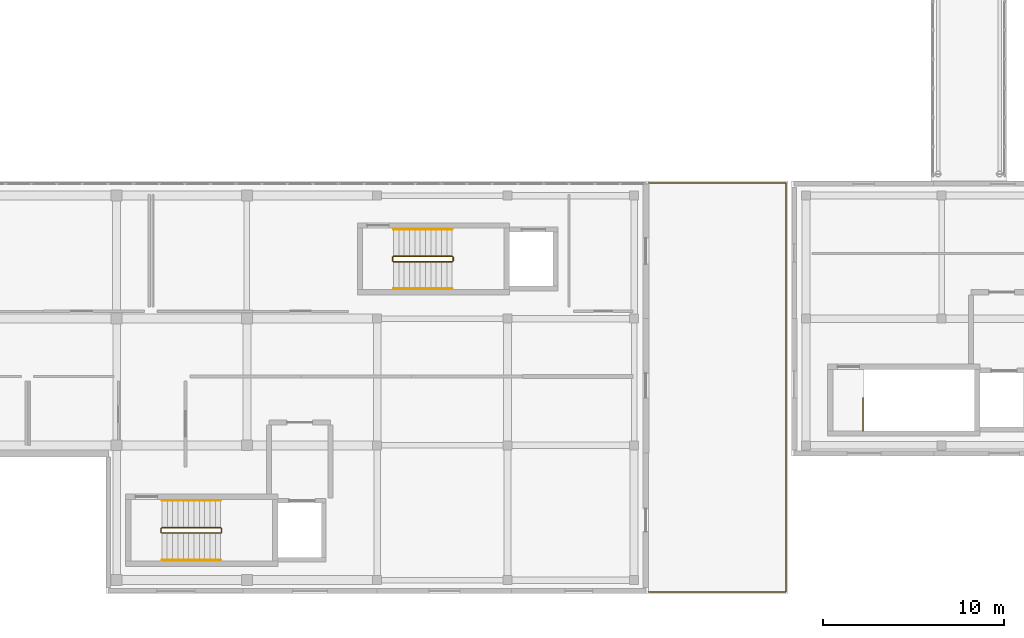
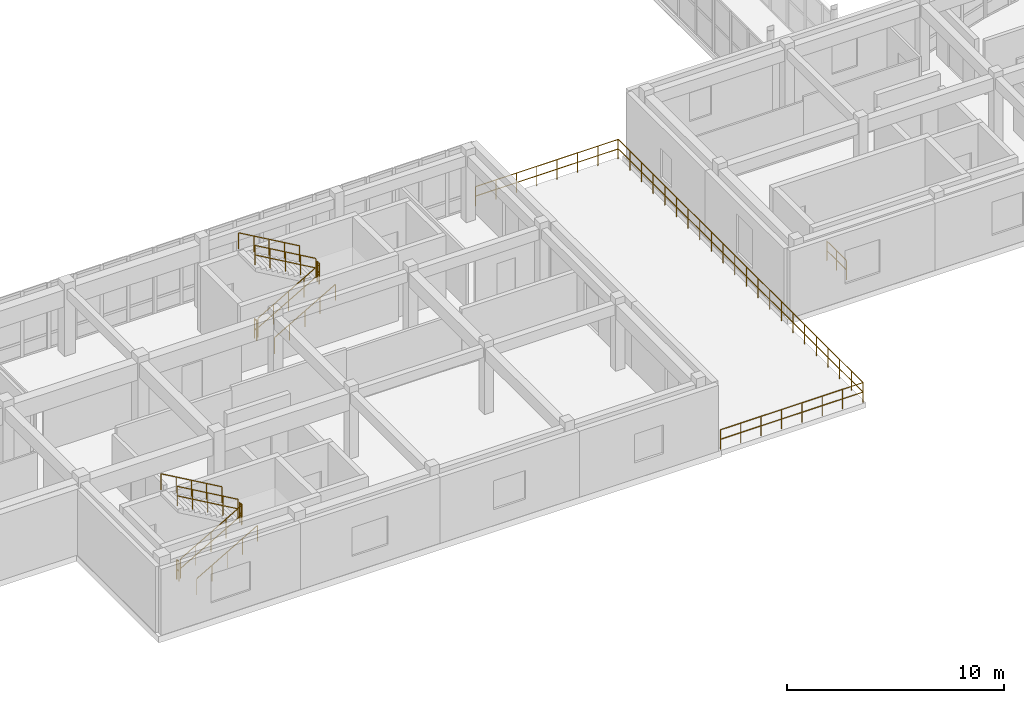
# One storey, part 51 of 52: 14 railings.
"""IFC4 building model written with IfcOpenShell, lengths in metres."""

from ifc_helpers import new_model, si_unit, direction, frame, origin, origin_2d, place, context, subcontext, project, spatial, circle, extrude, material, type_object, element, save


model = new_model("IFC4")

# Units and contexts
model_context = context("Model", 3, precision=1e-05, world=origin(), true_north=direction((0.0, 1.0)))
body_context = subcontext(model_context, "Body", "Model", "MODEL_VIEW")
ifc_project = project(units=[si_unit("LENGTHUNIT", "METRE"), si_unit("AREAUNIT", "SQUARE_METRE"), si_unit("VOLUMEUNIT", "CUBIC_METRE"), si_unit("PLANEANGLEUNIT", "RADIAN"), si_unit("MASSUNIT", "GRAM", prefix="KILO")], contexts=[model_context])

# Site, building, storey
site_placement = place(None, origin())
site = spatial("IfcSite", under=ifc_project, at=site_placement, CompositionType="ELEMENT")
building_placement = place(site_placement, origin())
building = spatial("IfcBuilding", under=site, at=building_placement, Name="Valcora Specialist Clinic", CompositionType="ELEMENT")
storey_placement = place(building_placement, frame((0.0, 0.0, 17.679931640625)))
storey = spatial("IfcBuildingStorey", under=building, at=storey_placement, Name="L04", CompositionType="ELEMENT", Elevation=17.679931640625)

# Railings
ifc_material = material(Name="Stainless Steel AISI 316", Category="steel")
railing_type_1 = type_object("IfcRailingType", Name="TY-RL-BAL112", PredefinedType="BALUSTRADE", material=ifc_material)
railing_1_placement = place(storey_placement, frame((45.60009765625, 0.10009765625, 0.0)))
element("IfcRailing", 1, at=railing_1_placement, inside=storey, type_object=railing_type_1, Name="Perimeter terrace guard 3", PredefinedType="BALUSTRADE", context=body_context, shape_type="SweptSolid", body=[
    extrude(circle(Radius=0.02392578125, at=origin_2d()), frame((0.0, 0.0, 1.09619140625), z_axis=(1.0, 0.0, 0.0), x_axis=(0.0, 1.0, 0.0)), (0.0, 0.0, 1.0), 7.599853515625),
    extrude(circle(Radius=0.02392578125, at=origin_2d()), frame((0.0, 0.0, 0.56005859375), z_axis=(1.0, 0.0, 0.0), x_axis=(0.0, 1.0, 0.0)), (0.0, 0.0, 1.0), 7.599853515625),
    extrude(circle(Radius=0.02392578125, at=origin_2d()), frame((7.599853515625, 0.0, 1.09619140625), z_axis=(0.0, 1.0, 0.0), x_axis=(-1.0, 0.0, 0.0)), (0.0, 0.0, 1.0), 22.599853515625),
    extrude(circle(Radius=0.02392578125, at=origin_2d()), frame((7.599853515625, 0.0, 0.56005859375), z_axis=(0.0, 1.0, 0.0), x_axis=(-1.0, 0.0, 0.0)), (0.0, 0.0, 1.0), 22.599853515625),
    extrude(circle(Radius=0.02392578125, at=origin_2d()), frame((7.599853515625, 22.599853515625, 1.09619140625), z_axis=(-1.0, 0.0, 0.0), x_axis=(0.0, -1.0, 0.0)), (0.0, 0.0, 1.0), 7.599853515625),
    extrude(circle(Radius=0.02392578125, at=origin_2d()), frame((7.599853515625, 22.599853515625, 0.56005859375), z_axis=(-1.0, 0.0, 0.0), x_axis=(0.0, -1.0, 0.0)), (0.0, 0.0, 1.0), 7.599853515625),
    extrude(circle(Radius=0.02099609375, at=origin_2d()), origin(), (0.0, 0.0, 1.0), 1.072021484375),
    extrude(circle(Radius=0.02099609375, at=origin_2d()), frame((1.085693359375, 0.0, 0.0)), (0.0, 0.0, 1.0), 1.072021484375),
    extrude(circle(Radius=0.02099609375, at=origin_2d()), frame((2.17138671875, 0.0, 0.0)), (0.0, 0.0, 1.0), 1.072021484375),
    extrude(circle(Radius=0.02099609375, at=origin_2d()), frame((3.257080078125, 0.0, 0.0)), (0.0, 0.0, 1.0), 1.072021484375),
    extrude(circle(Radius=0.02099609375, at=origin_2d()), frame((4.3427734375, 0.0, 0.0)), (0.0, 0.0, 1.0), 1.072021484375),
    extrude(circle(Radius=0.02099609375, at=origin_2d()), frame((5.428466796875, 0.0, 0.0)), (0.0, 0.0, 1.0), 1.072021484375),
    extrude(circle(Radius=0.02099609375, at=origin_2d()), frame((6.51416015625, 0.0, 0.0)), (0.0, 0.0, 1.0), 1.072021484375),
    extrude(circle(Radius=0.02099609375, at=origin_2d()), frame((7.599853515625, 0.0, 0.0)), (0.0, 0.0, 1.0), 1.072021484375),
    extrude(circle(Radius=0.02099609375, at=origin_2d()), frame((7.599853515625, 1.076171875, 0.0)), (0.0, 0.0, 1.0), 1.072021484375),
    extrude(circle(Radius=0.02099609375, at=origin_2d()), frame((7.599853515625, 2.15234375, 0.0)), (0.0, 0.0, 1.0), 1.072021484375),
    extrude(circle(Radius=0.02099609375, at=origin_2d()), frame((7.599853515625, 3.228515625, 0.0)), (0.0, 0.0, 1.0), 1.072021484375),
    extrude(circle(Radius=0.02099609375, at=origin_2d()), frame((7.599853515625, 4.3046875, 0.0)), (0.0, 0.0, 1.0), 1.072021484375),
    extrude(circle(Radius=0.02099609375, at=origin_2d()), frame((7.599853515625, 5.380859375, 0.0)), (0.0, 0.0, 1.0), 1.072021484375),
    extrude(circle(Radius=0.02099609375, at=origin_2d()), frame((7.599853515625, 6.45703125, 0.0)), (0.0, 0.0, 1.0), 1.072021484375),
    extrude(circle(Radius=0.02099609375, at=origin_2d()), frame((7.599853515625, 7.533203125, 0.0)), (0.0, 0.0, 1.0), 1.072021484375),
    extrude(circle(Radius=0.02099609375, at=origin_2d()), frame((7.599853515625, 8.609375, 0.0)), (0.0, 0.0, 1.0), 1.072021484375),
    extrude(circle(Radius=0.02099609375, at=origin_2d()), frame((7.599853515625, 9.685546875, 0.0)), (0.0, 0.0, 1.0), 1.072021484375),
    extrude(circle(Radius=0.02099609375, at=origin_2d()), frame((7.599853515625, 10.76171875, 0.0)), (0.0, 0.0, 1.0), 1.072021484375),
    extrude(circle(Radius=0.02099609375, at=origin_2d()), frame((7.599853515625, 11.838134765625, 0.0)), (0.0, 0.0, 1.0), 1.072021484375),
    extrude(circle(Radius=0.02099609375, at=origin_2d()), frame((7.599853515625, 12.914306640625, 0.0)), (0.0, 0.0, 1.0), 1.072021484375),
    extrude(circle(Radius=0.02099609375, at=origin_2d()), frame((7.599853515625, 13.990478515625, 0.0)), (0.0, 0.0, 1.0), 1.072021484375),
    extrude(circle(Radius=0.02099609375, at=origin_2d()), frame((7.599853515625, 15.066650390625, 0.0)), (0.0, 0.0, 1.0), 1.072021484375),
    extrude(circle(Radius=0.02099609375, at=origin_2d()), frame((7.599853515625, 16.142822265625, 0.0)), (0.0, 0.0, 1.0), 1.072021484375),
    extrude(circle(Radius=0.02099609375, at=origin_2d()), frame((7.599853515625, 17.218994140625, 0.0)), (0.0, 0.0, 1.0), 1.072021484375),
    extrude(circle(Radius=0.02099609375, at=origin_2d()), frame((7.599853515625, 18.295166015625, 0.0)), (0.0, 0.0, 1.0), 1.072021484375),
    extrude(circle(Radius=0.02099609375, at=origin_2d()), frame((7.599853515625, 19.371337890625, 0.0)), (0.0, 0.0, 1.0), 1.072021484375),
    extrude(circle(Radius=0.02099609375, at=origin_2d()), frame((7.599853515625, 20.447509765625, 0.0)), (0.0, 0.0, 1.0), 1.072021484375),
    extrude(circle(Radius=0.02099609375, at=origin_2d()), frame((7.599853515625, 21.523681640625, 0.0)), (0.0, 0.0, 1.0), 1.072021484375),
    extrude(circle(Radius=0.02099609375, at=origin_2d()), frame((7.599853515625, 22.599853515625, 0.0)), (0.0, 0.0, 1.0), 1.072021484375),
    extrude(circle(Radius=0.02099609375, at=origin_2d()), frame((6.51416015625, 22.599853515625, 0.0)), (0.0, 0.0, 1.0), 1.072021484375),
    extrude(circle(Radius=0.02099609375, at=origin_2d()), frame((5.428466796875, 22.599853515625, 0.0)), (0.0, 0.0, 1.0), 1.072021484375),
    extrude(circle(Radius=0.02099609375, at=origin_2d()), frame((4.3427734375, 22.599853515625, 0.0)), (0.0, 0.0, 1.0), 1.072021484375),
    extrude(circle(Radius=0.02099609375, at=origin_2d()), frame((3.257080078125, 22.599853515625, 0.0)), (0.0, 0.0, 1.0), 1.072021484375),
    extrude(circle(Radius=0.02099609375, at=origin_2d()), frame((2.17138671875, 22.599853515625, 0.0)), (0.0, 0.0, 1.0), 1.072021484375),
    extrude(circle(Radius=0.02099609375, at=origin_2d()), frame((1.085693359375, 22.599853515625, 0.0)), (0.0, 0.0, 1.0), 1.072021484375),
    extrude(circle(Radius=0.02099609375, at=origin_2d()), frame((0.0, 22.599853515625, 0.0)), (0.0, 0.0, 1.0), 1.072021484375),
])
railing_type_2 = type_object("IfcRailingType", Name="TY-RL-GRD112", PredefinedType="GUARDRAIL", material=ifc_material)
railing_2_placement = place(storey_placement, frame((18.699951171875, 3.35009765625, 0.170166015625)))
element("IfcRailing", 2, at=railing_2_placement, inside=storey, type_object=railing_type_2, Name="L04 ST-V5A stair guard 1", PredefinedType="GUARDRAIL", context=body_context, shape_type="SweptSolid", body=[
    extrude(circle(Radius=0.02392578125, at=origin_2d()), frame((0.0, 0.0, 1.09619140625), z_axis=(0.866452428451, 0.0, 0.4992596411), x_axis=(0.0, 1.0, 0.0)), (0.0, 0.0, 1.0), 3.745361328125),
    extrude(circle(Radius=0.02392578125, at=origin_2d()), frame((0.0, 0.0, 0.56005859375), z_axis=(0.866452428451, 0.0, 0.4992596411), x_axis=(0.0, 1.0, 0.0)), (0.0, 0.0, 1.0), 3.745361328125),
    extrude(circle(Radius=0.02099609375, at=origin_2d()), origin(), (0.0, 0.0, 1.0), 1.072021484375),
    extrude(circle(Radius=0.02099609375, at=origin_2d()), frame((0.811279296875, 0.0, 0.467529296875)), (0.0, 0.0, 1.0), 1.072021484375),
    extrude(circle(Radius=0.02099609375, at=origin_2d()), frame((1.62255859375, 0.0, 0.93505859375)), (0.0, 0.0, 1.0), 1.072021484375),
    extrude(circle(Radius=0.02099609375, at=origin_2d()), frame((2.433837890625, 0.0, 1.40234375)), (0.0, 0.0, 1.0), 1.072021484375),
    extrude(circle(Radius=0.02099609375, at=origin_2d()), frame((3.2451171875, 0.0, 1.869873046875)), (0.0, 0.0, 1.0), 1.072021484375),
])
railing_3_placement = place(storey_placement, frame((21.9951171875, 3.39990234375, 2.0400390625)))
element("IfcRailing", 3, at=railing_3_placement, inside=storey, type_object=railing_type_2, Name="L04 ST-V5A stair guard 2", PredefinedType="GUARDRAIL", context=body_context, shape_type="SweptSolid", body=[
    extrude(circle(Radius=0.02392578125, at=origin_2d()), frame((0.0, 0.0, 1.09619140625), z_axis=(0.0, 1.0, 0.0), x_axis=(-1.0, 0.0, 0.0)), (0.0, 0.0, 1.0), 0.2001953125),
    extrude(circle(Radius=0.02392578125, at=origin_2d()), frame((0.0, 0.0, 0.56005859375), z_axis=(0.0, 1.0, 0.0), x_axis=(-1.0, 0.0, 0.0)), (0.0, 0.0, 1.0), 0.2001953125),
    extrude(circle(Radius=0.02099609375, at=origin_2d()), origin(), (0.0, 0.0, 1.0), 1.072021484375),
    extrude(circle(Radius=0.02099609375, at=origin_2d()), frame((0.0, 0.2001953125, 0.0)), (0.0, 0.0, 1.0), 1.072021484375),
])
railing_4_placement = place(storey_placement, frame((21.945068359375, 3.64990234375, 2.2099609375)))
element("IfcRailing", 4, at=railing_4_placement, inside=storey, type_object=railing_type_2, Name="L04 ST-V5A stair guard 3", PredefinedType="GUARDRAIL", context=body_context, shape_type="SweptSolid", body=[
    extrude(circle(Radius=0.02392578125, at=origin_2d()), frame((0.0, 0.0, 1.09619140625), z_axis=(-0.866424229515, 0.0, 0.499308576443), x_axis=(0.0, -1.0, 0.0)), (0.0, 0.0, 1.0), 3.745361328125),
    extrude(circle(Radius=0.02392578125, at=origin_2d()), frame((0.0, 0.0, 0.56005859375), z_axis=(-0.866424229515, 0.0, 0.499308576443), x_axis=(0.0, -1.0, 0.0)), (0.0, 0.0, 1.0), 3.745361328125),
    extrude(circle(Radius=0.02099609375, at=origin_2d()), origin(), (0.0, 0.0, 1.0), 1.072021484375),
    extrude(circle(Radius=0.02099609375, at=origin_2d()), frame((-0.811279296875, 0.0, 0.467529296875)), (0.0, 0.0, 1.0), 1.072021484375),
    extrude(circle(Radius=0.02099609375, at=origin_2d()), frame((-1.62255859375, 0.0, 0.93505859375)), (0.0, 0.0, 1.0), 1.072021484375),
    extrude(circle(Radius=0.02099609375, at=origin_2d()), frame((-2.433837890625, 0.0, 1.402587890625)), (0.0, 0.0, 1.0), 1.072021484375),
    extrude(circle(Radius=0.02099609375, at=origin_2d()), frame((-3.2451171875, 0.0, 1.8701171875)), (0.0, 0.0, 1.0), 1.072021484375),
])
railing_5_placement = place(storey_placement, frame((18.64990234375, 3.39990234375, 0.0)))
element("IfcRailing", 5, at=railing_5_placement, inside=storey, type_object=railing_type_2, Name="L04 ST-V5A stair guard 4", PredefinedType="GUARDRAIL", context=body_context, shape_type="SweptSolid", body=[
    extrude(circle(Radius=0.02392578125, at=origin_2d()), frame((0.0, 0.0, 1.09619140625), z_axis=(0.0, 1.0, 0.0), x_axis=(-1.0, 0.0, 0.0)), (0.0, 0.0, 1.0), 0.2001953125),
    extrude(circle(Radius=0.02392578125, at=origin_2d()), frame((0.0, 0.0, 0.56005859375), z_axis=(0.0, 1.0, 0.0), x_axis=(-1.0, 0.0, 0.0)), (0.0, 0.0, 1.0), 0.2001953125),
    extrude(circle(Radius=0.02099609375, at=origin_2d()), origin(), (0.0, 0.0, 1.0), 1.072021484375),
    extrude(circle(Radius=0.02099609375, at=origin_2d()), frame((0.0, 0.2001953125, 0.0)), (0.0, 0.0, 1.0), 1.072021484375),
])
railing_6_placement = place(storey_placement, frame((31.5, 18.35009765625, 0.170166015625)))
element("IfcRailing", 6, at=railing_6_placement, inside=storey, type_object=railing_type_2, Name="L04 ST-V5B stair guard 1", PredefinedType="GUARDRAIL", context=body_context, shape_type="SweptSolid", body=[
    extrude(circle(Radius=0.02392578125, at=origin_2d()), frame((0.0, 0.0, 1.09619140625), z_axis=(0.866452428451, 0.0, 0.4992596411), x_axis=(0.0, 1.0, 0.0)), (0.0, 0.0, 1.0), 3.745361328125),
    extrude(circle(Radius=0.02392578125, at=origin_2d()), frame((0.0, 0.0, 0.56005859375), z_axis=(0.866452428451, 0.0, 0.4992596411), x_axis=(0.0, 1.0, 0.0)), (0.0, 0.0, 1.0), 3.745361328125),
    extrude(circle(Radius=0.02099609375, at=origin_2d()), origin(), (0.0, 0.0, 1.0), 1.072021484375),
    extrude(circle(Radius=0.02099609375, at=origin_2d()), frame((0.811279296875, 0.0, 0.467529296875)), (0.0, 0.0, 1.0), 1.072021484375),
    extrude(circle(Radius=0.02099609375, at=origin_2d()), frame((1.62255859375, 0.0, 0.93505859375)), (0.0, 0.0, 1.0), 1.072021484375),
    extrude(circle(Radius=0.02099609375, at=origin_2d()), frame((2.433837890625, 0.0, 1.40234375)), (0.0, 0.0, 1.0), 1.072021484375),
    extrude(circle(Radius=0.02099609375, at=origin_2d()), frame((3.2451171875, 0.0, 1.869873046875)), (0.0, 0.0, 1.0), 1.072021484375),
])
railing_7_placement = place(storey_placement, frame((34.794921875, 18.39990234375, 2.0400390625)))
element("IfcRailing", 7, at=railing_7_placement, inside=storey, type_object=railing_type_2, Name="L04 ST-V5B stair guard 2", PredefinedType="GUARDRAIL", context=body_context, shape_type="SweptSolid", body=[
    extrude(circle(Radius=0.02392578125, at=origin_2d()), frame((0.0, 0.0, 1.09619140625), z_axis=(0.0, 1.0, 0.0), x_axis=(-1.0, 0.0, 0.0)), (0.0, 0.0, 1.0), 0.2001953125),
    extrude(circle(Radius=0.02392578125, at=origin_2d()), frame((0.0, 0.0, 0.56005859375), z_axis=(0.0, 1.0, 0.0), x_axis=(-1.0, 0.0, 0.0)), (0.0, 0.0, 1.0), 0.2001953125),
    extrude(circle(Radius=0.02099609375, at=origin_2d()), origin(), (0.0, 0.0, 1.0), 1.072021484375),
    extrude(circle(Radius=0.02099609375, at=origin_2d()), frame((0.0, 0.2001953125, 0.0)), (0.0, 0.0, 1.0), 1.072021484375),
])
railing_8_placement = place(storey_placement, frame((34.7451171875, 18.64990234375, 2.2099609375)))
element("IfcRailing", 8, at=railing_8_placement, inside=storey, type_object=railing_type_2, Name="L04 ST-V5B stair guard 3", PredefinedType="GUARDRAIL", context=body_context, shape_type="SweptSolid", body=[
    extrude(circle(Radius=0.02392578125, at=origin_2d()), frame((0.0, 0.0, 1.09619140625), z_axis=(-0.866424229515, 0.0, 0.499308576443), x_axis=(0.0, -1.0, 0.0)), (0.0, 0.0, 1.0), 3.745361328125),
    extrude(circle(Radius=0.02392578125, at=origin_2d()), frame((0.0, 0.0, 0.56005859375), z_axis=(-0.866424229515, 0.0, 0.499308576443), x_axis=(0.0, -1.0, 0.0)), (0.0, 0.0, 1.0), 3.745361328125),
    extrude(circle(Radius=0.02099609375, at=origin_2d()), origin(), (0.0, 0.0, 1.0), 1.072021484375),
    extrude(circle(Radius=0.02099609375, at=origin_2d()), frame((-0.811279296875, 0.0, 0.467529296875)), (0.0, 0.0, 1.0), 1.072021484375),
    extrude(circle(Radius=0.02099609375, at=origin_2d()), frame((-1.62255859375, 0.0, 0.93505859375)), (0.0, 0.0, 1.0), 1.072021484375),
    extrude(circle(Radius=0.02099609375, at=origin_2d()), frame((-2.433837890625, 0.0, 1.402587890625)), (0.0, 0.0, 1.0), 1.072021484375),
    extrude(circle(Radius=0.02099609375, at=origin_2d()), frame((-3.2451171875, 0.0, 1.8701171875)), (0.0, 0.0, 1.0), 1.072021484375),
])
railing_9_placement = place(storey_placement, frame((31.449951171875, 18.39990234375, 0.0)))
element("IfcRailing", 9, at=railing_9_placement, inside=storey, type_object=railing_type_2, Name="L04 ST-V5B stair guard 4", PredefinedType="GUARDRAIL", context=body_context, shape_type="SweptSolid", body=[
    extrude(circle(Radius=0.02392578125, at=origin_2d()), frame((0.0, 0.0, 1.09619140625), z_axis=(0.0, 1.0, 0.0), x_axis=(-1.0, 0.0, 0.0)), (0.0, 0.0, 1.0), 0.2001953125),
    extrude(circle(Radius=0.02392578125, at=origin_2d()), frame((0.0, 0.0, 0.56005859375), z_axis=(0.0, 1.0, 0.0), x_axis=(-1.0, 0.0, 0.0)), (0.0, 0.0, 1.0), 0.2001953125),
    extrude(circle(Radius=0.02099609375, at=origin_2d()), origin(), (0.0, 0.0, 1.0), 1.072021484375),
    extrude(circle(Radius=0.02099609375, at=origin_2d()), frame((0.0, 0.2001953125, 0.0)), (0.0, 0.0, 1.0), 1.072021484375),
])
railing_10_placement = place(storey_placement, frame((57.449951171875, 9.0, 0.0)))
element("IfcRailing", 10, at=railing_10_placement, inside=storey, type_object=railing_type_2, Name="L04 ST-V6A top well guard 1", PredefinedType="GUARDRAIL", context=body_context, shape_type="SweptSolid", body=[
    extrude(circle(Radius=0.02392578125, at=origin_2d()), frame((0.0, 0.0, 1.09619140625), z_axis=(0.0, 1.0, 0.0), x_axis=(-1.0, 0.0, 0.0)), (0.0, 0.0, 1.0), 1.800048828125),
    extrude(circle(Radius=0.02392578125, at=origin_2d()), frame((0.0, 0.0, 0.56005859375), z_axis=(0.0, 1.0, 0.0), x_axis=(-1.0, 0.0, 0.0)), (0.0, 0.0, 1.0), 1.800048828125),
    extrude(circle(Radius=0.02099609375, at=origin_2d()), origin(), (0.0, 0.0, 1.0), 1.072021484375),
    extrude(circle(Radius=0.02099609375, at=origin_2d()), frame((0.0, 0.89990234375, 0.0)), (0.0, 0.0, 1.0), 1.072021484375),
    extrude(circle(Radius=0.02099609375, at=origin_2d()), frame((0.0, 1.800048828125, 0.0)), (0.0, 0.0, 1.0), 1.072021484375),
])
railing_type_3 = type_object("IfcRailingType", Name="TY-RL-HND092", PredefinedType="HANDRAIL", material=ifc_material)
railing_11_placement = place(storey_placement, frame((18.699951171875, 1.85009765625, 0.170166015625)))
element("IfcRailing", 11, at=railing_11_placement, inside=storey, type_object=railing_type_3, Name="L04 ST-V5A stair handrail 1", PredefinedType="HANDRAIL", context=body_context, shape_type="SweptSolid", body=[
    extrude(circle(Radius=0.02392578125, at=origin_2d()), frame((0.0, 0.0, 0.89599609375), z_axis=(0.866452428451, 0.0, 0.4992596411), x_axis=(0.0, 1.0, 0.0)), (0.0, 0.0, 1.0), 3.745361328125),
    extrude(circle(Radius=0.02099609375, at=origin_2d()), origin(), (0.0, 0.0, 1.0), 0.871826171875),
    extrude(circle(Radius=0.02099609375, at=origin_2d()), frame((0.811279296875, 0.0, 0.467529296875)), (0.0, 0.0, 1.0), 0.871826171875),
    extrude(circle(Radius=0.02099609375, at=origin_2d()), frame((1.62255859375, 0.0, 0.93505859375)), (0.0, 0.0, 1.0), 0.871826171875),
    extrude(circle(Radius=0.02099609375, at=origin_2d()), frame((2.433837890625, 0.0, 1.40234375)), (0.0, 0.0, 1.0), 0.871826171875),
    extrude(circle(Radius=0.02099609375, at=origin_2d()), frame((3.2451171875, 0.0, 1.869873046875)), (0.0, 0.0, 1.0), 0.871826171875),
])
railing_12_placement = place(storey_placement, frame((21.945068359375, 5.14990234375, 2.2099609375)))
element("IfcRailing", 12, at=railing_12_placement, inside=storey, type_object=railing_type_3, Name="L04 ST-V5A stair handrail 2", PredefinedType="HANDRAIL", context=body_context, shape_type="SweptSolid", body=[
    extrude(circle(Radius=0.02392578125, at=origin_2d()), frame((0.0, 0.0, 0.89599609375), z_axis=(-0.866424229515, 0.0, 0.499308576443), x_axis=(0.0, -1.0, 0.0)), (0.0, 0.0, 1.0), 3.745361328125),
    extrude(circle(Radius=0.02099609375, at=origin_2d()), origin(), (0.0, 0.0, 1.0), 0.871826171875),
    extrude(circle(Radius=0.02099609375, at=origin_2d()), frame((-0.811279296875, 0.0, 0.467529296875)), (0.0, 0.0, 1.0), 0.871826171875),
    extrude(circle(Radius=0.02099609375, at=origin_2d()), frame((-1.62255859375, 0.0, 0.93505859375)), (0.0, 0.0, 1.0), 0.871826171875),
    extrude(circle(Radius=0.02099609375, at=origin_2d()), frame((-2.433837890625, 0.0, 1.402587890625)), (0.0, 0.0, 1.0), 0.871826171875),
    extrude(circle(Radius=0.02099609375, at=origin_2d()), frame((-3.2451171875, 0.0, 1.8701171875)), (0.0, 0.0, 1.0), 0.871826171875),
])
railing_13_placement = place(storey_placement, frame((31.5, 16.85009765625, 0.170166015625)))
element("IfcRailing", 13, at=railing_13_placement, inside=storey, type_object=railing_type_3, Name="L04 ST-V5B stair handrail 1", PredefinedType="HANDRAIL", context=body_context, shape_type="SweptSolid", body=[
    extrude(circle(Radius=0.02392578125, at=origin_2d()), frame((0.0, 0.0, 0.89599609375), z_axis=(0.866452428451, 0.0, 0.4992596411), x_axis=(0.0, 1.0, 0.0)), (0.0, 0.0, 1.0), 3.745361328125),
    extrude(circle(Radius=0.02099609375, at=origin_2d()), origin(), (0.0, 0.0, 1.0), 0.871826171875),
    extrude(circle(Radius=0.02099609375, at=origin_2d()), frame((0.811279296875, 0.0, 0.467529296875)), (0.0, 0.0, 1.0), 0.871826171875),
    extrude(circle(Radius=0.02099609375, at=origin_2d()), frame((1.62255859375, 0.0, 0.93505859375)), (0.0, 0.0, 1.0), 0.871826171875),
    extrude(circle(Radius=0.02099609375, at=origin_2d()), frame((2.433837890625, 0.0, 1.40234375)), (0.0, 0.0, 1.0), 0.871826171875),
    extrude(circle(Radius=0.02099609375, at=origin_2d()), frame((3.2451171875, 0.0, 1.869873046875)), (0.0, 0.0, 1.0), 0.871826171875),
])
railing_14_placement = place(storey_placement, frame((34.7451171875, 20.14990234375, 2.2099609375)))
element("IfcRailing", 14, at=railing_14_placement, inside=storey, type_object=railing_type_3, Name="L04 ST-V5B stair handrail 2", PredefinedType="HANDRAIL", context=body_context, shape_type="SweptSolid", body=[
    extrude(circle(Radius=0.02392578125, at=origin_2d()), frame((0.0, 0.0, 0.89599609375), z_axis=(-0.866424229515, 0.0, 0.499308576443), x_axis=(0.0, -1.0, 0.0)), (0.0, 0.0, 1.0), 3.745361328125),
    extrude(circle(Radius=0.02099609375, at=origin_2d()), origin(), (0.0, 0.0, 1.0), 0.871826171875),
    extrude(circle(Radius=0.02099609375, at=origin_2d()), frame((-0.811279296875, 0.0, 0.467529296875)), (0.0, 0.0, 1.0), 0.871826171875),
    extrude(circle(Radius=0.02099609375, at=origin_2d()), frame((-1.62255859375, 0.0, 0.93505859375)), (0.0, 0.0, 1.0), 0.871826171875),
    extrude(circle(Radius=0.02099609375, at=origin_2d()), frame((-2.433837890625, 0.0, 1.402587890625)), (0.0, 0.0, 1.0), 0.871826171875),
    extrude(circle(Radius=0.02099609375, at=origin_2d()), frame((-3.2451171875, 0.0, 1.8701171875)), (0.0, 0.0, 1.0), 0.871826171875),
])

save(model, "model.ifc")
